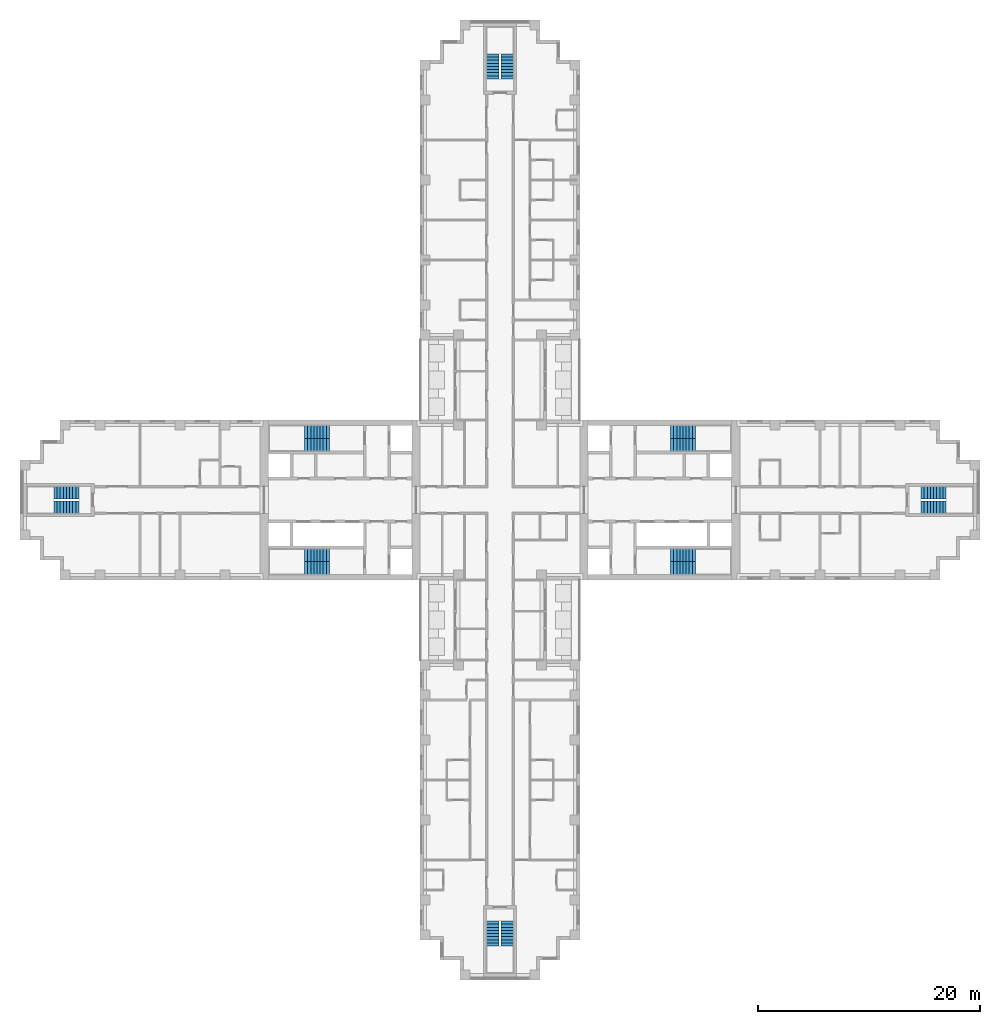
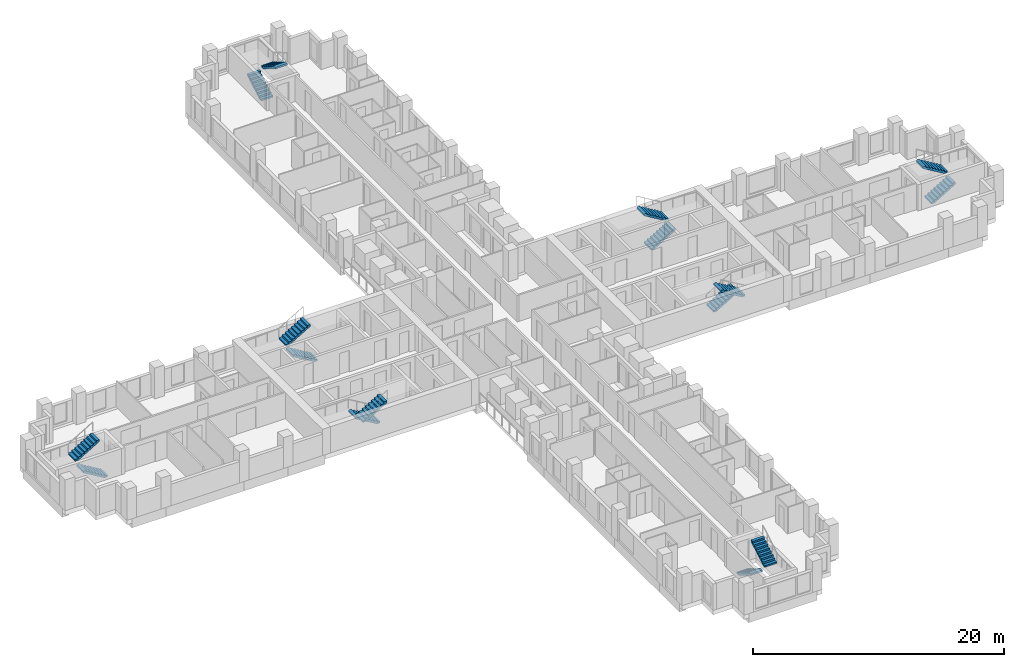
# One storey, part 13 of 15: 16 stair flights, 8 elements without a shape of their own.
"""IFC4 building model written with IfcOpenShell, lengths in metres."""

from ifc_helpers import new_model, si_unit, direction, frame, origin, place, context, subcontext, project, spatial, polyline, outline, extrude, material, type_object, element, aggregate, save


model = new_model("IFC4")

# Units and contexts
model_context = context("Model", 3, precision=1e-05, world=origin(), true_north=direction((0.0, 1.0)))
body_context = subcontext(model_context, "Body", "Model", "MODEL_VIEW")
ifc_project = project(units=[si_unit("LENGTHUNIT", "METRE"), si_unit("AREAUNIT", "SQUARE_METRE"), si_unit("VOLUMEUNIT", "CUBIC_METRE"), si_unit("PLANEANGLEUNIT", "RADIAN"), si_unit("MASSUNIT", "GRAM", prefix="KILO")], contexts=[model_context])

# Site, building, storey
site_placement = place(None, origin())
site = spatial("IfcSite", under=ifc_project, at=site_placement, CompositionType="ELEMENT")
building_placement = place(site_placement, origin())
building = spatial("IfcBuilding", under=site, at=building_placement, Name="Fustian Cross Tower", CompositionType="ELEMENT")
storey_placement = place(building_placement, frame((0.0, 0.0, 59.699951171875)))
storey = spatial("IfcBuildingStorey", under=building, at=storey_placement, Name="L18", CompositionType="ELEMENT", Elevation=59.699951171875)

# Stair, stair flights
ifc_material_1 = material(Name="Concrete C50/60", Category="concrete")
stair_type_1 = type_object("IfcStairType", Name="STAIR 1100 HALF TURN", PredefinedType="HALF_TURN_STAIR", material=ifc_material_1)
stair_1_placement = place(storey_placement, origin())
stair_1 = element("IfcStair", 1, at=stair_1_placement, inside=storey, type_object=stair_type_1, Name="Stair ST5", PredefinedType="HALF_TURN_STAIR")
ifc_material_2 = material(Name="Concrete C50/60", Category="concrete")
stair_flight_type_1 = type_object("IfcStairFlightType", Name="STAIR FLIGHT 1100", PredefinedType="STRAIGHT", material=ifc_material_2)
stair_flight_1_placement = place(storey_placement, frame((-0.64990234375, 37.89990234375, 0.0), z_axis=(0.0, 0.0, 1.0), x_axis=(0.0, 1.0, 0.0)))
stair_flight_1 = element("IfcStairFlight", 2, at=stair_flight_1_placement, type_object=stair_flight_type_1, Name="ST5 flight 1", NumberOfRisers=9, NumberOfTreads=8, PredefinedType="STRAIGHT", RiserHeight=0.166666667, TreadLength=0.28, context=body_context, shape_type="SweptSolid", body=[
    extrude(outline(polyline([(0.0, 0.0), (0.0, 0.166748046875), (0.280029296875, 0.166748046875), (0.280029296875, 0.333251953125), (0.56005859375, 0.333251953125), (0.56005859375, 0.5), (0.840087890625, 0.5), (0.840087890625, 0.666748046875), (1.1201171875, 0.666748046875), (1.1201171875, 0.833251953125), (1.39990234375, 0.833251953125), (1.39990234375, 1.0), (1.679931640625, 1.0), (1.679931640625, 1.166748046875), (1.9599609375, 1.166748046875), (1.9599609375, 1.333251953125), (2.239990234375, 1.333251953125), (2.239990234375, 1.5), (2.239990234375, 1.158935546875), (0.29296875, 0.0), (0.0, 0.0)])), frame((0.0, 0.550048828125, 0.0), z_axis=(0.0, -1.0, 0.0), x_axis=(1.0, 0.0, 0.0)), (0.0, 0.0, 1.0), 1.10009765625),
])
stair_flight_2_placement = place(storey_placement, frame((0.64990234375, 40.139892578125, 1.5), z_axis=(0.0, 0.0, 1.0), x_axis=(0.0, -1.0, 0.0)))
stair_flight_2 = element("IfcStairFlight", 3, at=stair_flight_2_placement, type_object=stair_flight_type_1, Name="ST5 flight 2", NumberOfRisers=9, NumberOfTreads=8, PredefinedType="STRAIGHT", RiserHeight=0.166666667, TreadLength=0.28, context=body_context, shape_type="SweptSolid", body=[
    extrude(outline(polyline([(0.0, 0.0), (0.0, 0.166748046875), (0.280029296875, 0.166748046875), (0.280029296875, 0.333251953125), (0.56005859375, 0.333251953125), (0.56005859375, 0.5), (0.840087890625, 0.5), (0.840087890625, 0.666748046875), (1.1201171875, 0.666748046875), (1.1201171875, 0.833251953125), (1.39990234375, 0.833251953125), (1.39990234375, 1.0), (1.679931640625, 1.0), (1.679931640625, 1.166748046875), (1.9599609375, 1.166748046875), (1.9599609375, 1.333251953125), (2.239990234375, 1.333251953125), (2.239990234375, 1.5), (2.239990234375, 1.158935546875), (0.29296875, 0.0), (0.0, 0.0)])), frame((0.0, 0.550048828125, 0.0), z_axis=(0.0, -1.0, 0.0), x_axis=(1.0, 0.0, 0.0)), (0.0, 0.0, 1.0), 1.10009765625),
])
aggregate(stair_1, [stair_flight_1, stair_flight_2])

stair_2_placement = place(storey_placement, origin())
stair_2 = element("IfcStair", 4, at=stair_2_placement, inside=storey, type_object=stair_type_1, Name="Stair ST6", PredefinedType="HALF_TURN_STAIR")
stair_flight_3_placement = place(storey_placement, frame((-0.64990234375, -37.89990234375, 0.0), z_axis=(0.0, 0.0, 1.0), x_axis=(0.0, -1.0, 0.0)))
stair_flight_3 = element("IfcStairFlight", 5, at=stair_flight_3_placement, type_object=stair_flight_type_1, Name="ST6 flight 1", NumberOfRisers=9, NumberOfTreads=8, PredefinedType="STRAIGHT", RiserHeight=0.166666667, TreadLength=0.28, context=body_context, shape_type="SweptSolid", body=[
    extrude(outline(polyline([(0.0, 0.0), (0.0, 0.166748046875), (0.280029296875, 0.166748046875), (0.280029296875, 0.333251953125), (0.56005859375, 0.333251953125), (0.56005859375, 0.5), (0.840087890625, 0.5), (0.840087890625, 0.666748046875), (1.1201171875, 0.666748046875), (1.1201171875, 0.833251953125), (1.39990234375, 0.833251953125), (1.39990234375, 1.0), (1.679931640625, 1.0), (1.679931640625, 1.166748046875), (1.9599609375, 1.166748046875), (1.9599609375, 1.333251953125), (2.239990234375, 1.333251953125), (2.239990234375, 1.5), (2.239990234375, 1.158935546875), (0.29296875, 0.0), (0.0, 0.0)])), frame((0.0, 0.550048828125, 0.0), z_axis=(0.0, -1.0, 0.0), x_axis=(1.0, 0.0, 0.0)), (0.0, 0.0, 1.0), 1.10009765625),
])
stair_flight_4_placement = place(storey_placement, frame((0.64990234375, -40.139892578125, 1.5), z_axis=(0.0, 0.0, 1.0), x_axis=(0.0, 1.0, 0.0)))
stair_flight_4 = element("IfcStairFlight", 6, at=stair_flight_4_placement, type_object=stair_flight_type_1, Name="ST6 flight 2", NumberOfRisers=9, NumberOfTreads=8, PredefinedType="STRAIGHT", RiserHeight=0.166666667, TreadLength=0.28, context=body_context, shape_type="SweptSolid", body=[
    extrude(outline(polyline([(0.0, 0.0), (0.0, 0.166748046875), (0.280029296875, 0.166748046875), (0.280029296875, 0.333251953125), (0.56005859375, 0.333251953125), (0.56005859375, 0.5), (0.840087890625, 0.5), (0.840087890625, 0.666748046875), (1.1201171875, 0.666748046875), (1.1201171875, 0.833251953125), (1.39990234375, 0.833251953125), (1.39990234375, 1.0), (1.679931640625, 1.0), (1.679931640625, 1.166748046875), (1.9599609375, 1.166748046875), (1.9599609375, 1.333251953125), (2.239990234375, 1.333251953125), (2.239990234375, 1.5), (2.239990234375, 1.158935546875), (0.29296875, 0.0), (0.0, 0.0)])), frame((0.0, 0.550048828125, 0.0), z_axis=(0.0, -1.0, 0.0), x_axis=(1.0, 0.0, 0.0)), (0.0, 0.0, 1.0), 1.10009765625),
])
aggregate(stair_2, [stair_flight_3, stair_flight_4])

stair_3_placement = place(storey_placement, origin())
stair_3 = element("IfcStair", 7, at=stair_3_placement, inside=storey, type_object=stair_type_1, Name="Stair ST8", PredefinedType="HALF_TURN_STAIR")
stair_flight_5_placement = place(storey_placement, frame((37.89990234375, -0.64990234375, 0.0), z_axis=(0.0, 0.0, 1.0), x_axis=(1.0, 0.0, 0.0)))
stair_flight_5 = element("IfcStairFlight", 8, at=stair_flight_5_placement, type_object=stair_flight_type_1, Name="ST8 flight 1", NumberOfRisers=9, NumberOfTreads=8, PredefinedType="STRAIGHT", RiserHeight=0.166666667, TreadLength=0.28, context=body_context, shape_type="SweptSolid", body=[
    extrude(outline(polyline([(0.0, 0.0), (0.0, 0.166748046875), (0.280029296875, 0.166748046875), (0.280029296875, 0.333251953125), (0.56005859375, 0.333251953125), (0.56005859375, 0.5), (0.840087890625, 0.5), (0.840087890625, 0.666748046875), (1.1201171875, 0.666748046875), (1.1201171875, 0.833251953125), (1.39990234375, 0.833251953125), (1.39990234375, 1.0), (1.679931640625, 1.0), (1.679931640625, 1.166748046875), (1.9599609375, 1.166748046875), (1.9599609375, 1.333251953125), (2.239990234375, 1.333251953125), (2.239990234375, 1.5), (2.239990234375, 1.158935546875), (0.29296875, 0.0), (0.0, 0.0)])), frame((0.0, 0.550048828125, 0.0), z_axis=(0.0, -1.0, 0.0), x_axis=(1.0, 0.0, 0.0)), (0.0, 0.0, 1.0), 1.10009765625),
])
stair_flight_6_placement = place(storey_placement, frame((40.139892578125, 0.64990234375, 1.5), z_axis=(0.0, 0.0, 1.0), x_axis=(-1.0, 0.0, 0.0)))
stair_flight_6 = element("IfcStairFlight", 9, at=stair_flight_6_placement, type_object=stair_flight_type_1, Name="ST8 flight 2", NumberOfRisers=9, NumberOfTreads=8, PredefinedType="STRAIGHT", RiserHeight=0.166666667, TreadLength=0.28, context=body_context, shape_type="SweptSolid", body=[
    extrude(outline(polyline([(0.0, 0.0), (0.0, 0.166748046875), (0.280029296875, 0.166748046875), (0.280029296875, 0.333251953125), (0.56005859375, 0.333251953125), (0.56005859375, 0.5), (0.840087890625, 0.5), (0.840087890625, 0.666748046875), (1.1201171875, 0.666748046875), (1.1201171875, 0.833251953125), (1.39990234375, 0.833251953125), (1.39990234375, 1.0), (1.679931640625, 1.0), (1.679931640625, 1.166748046875), (1.9599609375, 1.166748046875), (1.9599609375, 1.333251953125), (2.239990234375, 1.333251953125), (2.239990234375, 1.5), (2.239990234375, 1.158935546875), (0.29296875, 0.0), (0.0, 0.0)])), frame((0.0, 0.550048828125, 0.0), z_axis=(0.0, -1.0, 0.0), x_axis=(1.0, 0.0, 0.0)), (0.0, 0.0, 1.0), 1.10009765625),
])
aggregate(stair_3, [stair_flight_5, stair_flight_6])

stair_4_placement = place(storey_placement, origin())
stair_4 = element("IfcStair", 10, at=stair_4_placement, inside=storey, type_object=stair_type_1, Name="Stair ST9", PredefinedType="HALF_TURN_STAIR")
stair_flight_7_placement = place(storey_placement, frame((-37.89990234375, -0.64990234375, 0.0), z_axis=(0.0, 0.0, 1.0), x_axis=(-1.0, 0.0, 0.0)))
stair_flight_7 = element("IfcStairFlight", 11, at=stair_flight_7_placement, type_object=stair_flight_type_1, Name="ST9 flight 1", NumberOfRisers=9, NumberOfTreads=8, PredefinedType="STRAIGHT", RiserHeight=0.166666667, TreadLength=0.28, context=body_context, shape_type="SweptSolid", body=[
    extrude(outline(polyline([(0.0, 0.0), (0.0, 0.166748046875), (0.280029296875, 0.166748046875), (0.280029296875, 0.333251953125), (0.56005859375, 0.333251953125), (0.56005859375, 0.5), (0.840087890625, 0.5), (0.840087890625, 0.666748046875), (1.1201171875, 0.666748046875), (1.1201171875, 0.833251953125), (1.39990234375, 0.833251953125), (1.39990234375, 1.0), (1.679931640625, 1.0), (1.679931640625, 1.166748046875), (1.9599609375, 1.166748046875), (1.9599609375, 1.333251953125), (2.239990234375, 1.333251953125), (2.239990234375, 1.5), (2.239990234375, 1.158935546875), (0.29296875, 0.0), (0.0, 0.0)])), frame((0.0, 0.550048828125, 0.0), z_axis=(0.0, -1.0, 0.0), x_axis=(1.0, 0.0, 0.0)), (0.0, 0.0, 1.0), 1.10009765625),
])
stair_flight_8_placement = place(storey_placement, frame((-40.139892578125, 0.64990234375, 1.5), z_axis=(0.0, 0.0, 1.0), x_axis=(1.0, 0.0, 0.0)))
stair_flight_8 = element("IfcStairFlight", 12, at=stair_flight_8_placement, type_object=stair_flight_type_1, Name="ST9 flight 2", NumberOfRisers=9, NumberOfTreads=8, PredefinedType="STRAIGHT", RiserHeight=0.166666667, TreadLength=0.28, context=body_context, shape_type="SweptSolid", body=[
    extrude(outline(polyline([(0.0, 0.0), (0.0, 0.166748046875), (0.280029296875, 0.166748046875), (0.280029296875, 0.333251953125), (0.56005859375, 0.333251953125), (0.56005859375, 0.5), (0.840087890625, 0.5), (0.840087890625, 0.666748046875), (1.1201171875, 0.666748046875), (1.1201171875, 0.833251953125), (1.39990234375, 0.833251953125), (1.39990234375, 1.0), (1.679931640625, 1.0), (1.679931640625, 1.166748046875), (1.9599609375, 1.166748046875), (1.9599609375, 1.333251953125), (2.239990234375, 1.333251953125), (2.239990234375, 1.5), (2.239990234375, 1.158935546875), (0.29296875, 0.0), (0.0, 0.0)])), frame((0.0, 0.550048828125, 0.0), z_axis=(0.0, -1.0, 0.0), x_axis=(1.0, 0.0, 0.0)), (0.0, 0.0, 1.0), 1.10009765625),
])
aggregate(stair_4, [stair_flight_7, stair_flight_8])

ifc_material_3 = material(Name="Concrete C50/60", Category="concrete")
stair_type_2 = type_object("IfcStairType", Name="STAIR 1150 HALF TURN", PredefinedType="HALF_TURN_STAIR", material=ifc_material_3)
stair_5_placement = place(storey_placement, origin())
stair_5 = element("IfcStair", 13, at=stair_5_placement, inside=storey, type_object=stair_type_2, Name="Stair ST1", PredefinedType="HALF_TURN_STAIR")
ifc_material_4 = material(Name="Concrete C50/60", Category="concrete")
stair_flight_type_2 = type_object("IfcStairFlightType", Name="STAIR FLIGHT 1150", PredefinedType="STRAIGHT", material=ifc_material_4)
stair_flight_9_placement = place(storey_placement, frame((15.35009765625, 4.97509765625, 0.0), z_axis=(0.0, 0.0, 1.0), x_axis=(1.0, 0.0, 0.0)))
stair_flight_9 = element("IfcStairFlight", 14, at=stair_flight_9_placement, type_object=stair_flight_type_2, Name="ST1 flight 1", NumberOfRisers=9, NumberOfTreads=8, PredefinedType="STRAIGHT", RiserHeight=0.166666667, TreadLength=0.28, context=body_context, shape_type="SweptSolid", body=[
    extrude(outline(polyline([(0.0, 0.0), (0.0, 0.166748046875), (0.280029296875, 0.166748046875), (0.280029296875, 0.333251953125), (0.56005859375, 0.333251953125), (0.56005859375, 0.5), (0.840087890625, 0.5), (0.840087890625, 0.666748046875), (1.1201171875, 0.666748046875), (1.1201171875, 0.833251953125), (1.39990234375, 0.833251953125), (1.39990234375, 1.0), (1.679931640625, 1.0), (1.679931640625, 1.166748046875), (1.9599609375, 1.166748046875), (1.9599609375, 1.333251953125), (2.239990234375, 1.333251953125), (2.239990234375, 1.5), (2.239990234375, 1.158935546875), (0.29296875, 0.0), (0.0, 0.0)])), frame((0.0, 0.574951171875, 0.0), z_axis=(0.0, -1.0, 0.0), x_axis=(1.0, 0.0, 0.0)), (0.0, 0.0, 1.0), 1.14990234375),
])
stair_flight_10_placement = place(storey_placement, frame((17.590087890625, 6.125, 1.5), z_axis=(0.0, 0.0, 1.0), x_axis=(-1.0, 0.0, 0.0)))
stair_flight_10 = element("IfcStairFlight", 15, at=stair_flight_10_placement, type_object=stair_flight_type_2, Name="ST1 flight 2", NumberOfRisers=9, NumberOfTreads=8, PredefinedType="STRAIGHT", RiserHeight=0.166666667, TreadLength=0.28, context=body_context, shape_type="SweptSolid", body=[
    extrude(outline(polyline([(0.0, 0.0), (0.0, 0.166748046875), (0.280029296875, 0.166748046875), (0.280029296875, 0.333251953125), (0.56005859375, 0.333251953125), (0.56005859375, 0.5), (0.840087890625, 0.5), (0.840087890625, 0.666748046875), (1.1201171875, 0.666748046875), (1.1201171875, 0.833251953125), (1.39990234375, 0.833251953125), (1.39990234375, 1.0), (1.679931640625, 1.0), (1.679931640625, 1.166748046875), (1.9599609375, 1.166748046875), (1.9599609375, 1.333251953125), (2.239990234375, 1.333251953125), (2.239990234375, 1.5), (2.239990234375, 1.158935546875), (0.29296875, 0.0), (0.0, 0.0)])), frame((0.0, 0.574951171875, 0.0), z_axis=(0.0, -1.0, 0.0), x_axis=(1.0, 0.0, 0.0)), (0.0, 0.0, 1.0), 1.14990234375),
])
aggregate(stair_5, [stair_flight_9, stair_flight_10])

stair_6_placement = place(storey_placement, origin())
stair_6 = element("IfcStair", 16, at=stair_6_placement, inside=storey, type_object=stair_type_2, Name="Stair ST2", PredefinedType="HALF_TURN_STAIR")
stair_flight_11_placement = place(storey_placement, frame((15.35009765625, -4.97509765625, 0.0), z_axis=(0.0, 0.0, 1.0), x_axis=(1.0, 0.0, 0.0)))
stair_flight_11 = element("IfcStairFlight", 17, at=stair_flight_11_placement, type_object=stair_flight_type_2, Name="ST2 flight 1", NumberOfRisers=9, NumberOfTreads=8, PredefinedType="STRAIGHT", RiserHeight=0.166666667, TreadLength=0.28, context=body_context, shape_type="SweptSolid", body=[
    extrude(outline(polyline([(0.0, 0.0), (0.0, 0.166748046875), (0.280029296875, 0.166748046875), (0.280029296875, 0.333251953125), (0.56005859375, 0.333251953125), (0.56005859375, 0.5), (0.840087890625, 0.5), (0.840087890625, 0.666748046875), (1.1201171875, 0.666748046875), (1.1201171875, 0.833251953125), (1.39990234375, 0.833251953125), (1.39990234375, 1.0), (1.679931640625, 1.0), (1.679931640625, 1.166748046875), (1.9599609375, 1.166748046875), (1.9599609375, 1.333251953125), (2.239990234375, 1.333251953125), (2.239990234375, 1.5), (2.239990234375, 1.158935546875), (0.29296875, 0.0), (0.0, 0.0)])), frame((0.0, 0.574951171875, 0.0), z_axis=(0.0, -1.0, 0.0), x_axis=(1.0, 0.0, 0.0)), (0.0, 0.0, 1.0), 1.14990234375),
])
stair_flight_12_placement = place(storey_placement, frame((17.590087890625, -6.125, 1.5), z_axis=(0.0, 0.0, 1.0), x_axis=(-1.0, 0.0, 0.0)))
stair_flight_12 = element("IfcStairFlight", 18, at=stair_flight_12_placement, type_object=stair_flight_type_2, Name="ST2 flight 2", NumberOfRisers=9, NumberOfTreads=8, PredefinedType="STRAIGHT", RiserHeight=0.166666667, TreadLength=0.28, context=body_context, shape_type="SweptSolid", body=[
    extrude(outline(polyline([(0.0, 0.0), (0.0, 0.166748046875), (0.280029296875, 0.166748046875), (0.280029296875, 0.333251953125), (0.56005859375, 0.333251953125), (0.56005859375, 0.5), (0.840087890625, 0.5), (0.840087890625, 0.666748046875), (1.1201171875, 0.666748046875), (1.1201171875, 0.833251953125), (1.39990234375, 0.833251953125), (1.39990234375, 1.0), (1.679931640625, 1.0), (1.679931640625, 1.166748046875), (1.9599609375, 1.166748046875), (1.9599609375, 1.333251953125), (2.239990234375, 1.333251953125), (2.239990234375, 1.5), (2.239990234375, 1.158935546875), (0.29296875, 0.0), (0.0, 0.0)])), frame((0.0, 0.574951171875, 0.0), z_axis=(0.0, -1.0, 0.0), x_axis=(1.0, 0.0, 0.0)), (0.0, 0.0, 1.0), 1.14990234375),
])
aggregate(stair_6, [stair_flight_11, stair_flight_12])

stair_7_placement = place(storey_placement, origin())
stair_7 = element("IfcStair", 19, at=stair_7_placement, inside=storey, type_object=stair_type_2, Name="Stair ST3", PredefinedType="HALF_TURN_STAIR")
stair_flight_13_placement = place(storey_placement, frame((-15.35009765625, 4.97509765625, 0.0), z_axis=(0.0, 0.0, 1.0), x_axis=(-1.0, 0.0, 0.0)))
stair_flight_13 = element("IfcStairFlight", 20, at=stair_flight_13_placement, type_object=stair_flight_type_2, Name="ST3 flight 1", NumberOfRisers=9, NumberOfTreads=8, PredefinedType="STRAIGHT", RiserHeight=0.166666667, TreadLength=0.28, context=body_context, shape_type="SweptSolid", body=[
    extrude(outline(polyline([(0.0, 0.0), (0.0, 0.166748046875), (0.280029296875, 0.166748046875), (0.280029296875, 0.333251953125), (0.56005859375, 0.333251953125), (0.56005859375, 0.5), (0.840087890625, 0.5), (0.840087890625, 0.666748046875), (1.1201171875, 0.666748046875), (1.1201171875, 0.833251953125), (1.39990234375, 0.833251953125), (1.39990234375, 1.0), (1.679931640625, 1.0), (1.679931640625, 1.166748046875), (1.9599609375, 1.166748046875), (1.9599609375, 1.333251953125), (2.239990234375, 1.333251953125), (2.239990234375, 1.5), (2.239990234375, 1.158935546875), (0.29296875, 0.0), (0.0, 0.0)])), frame((0.0, 0.574951171875, 0.0), z_axis=(0.0, -1.0, 0.0), x_axis=(1.0, 0.0, 0.0)), (0.0, 0.0, 1.0), 1.14990234375),
])
stair_flight_14_placement = place(storey_placement, frame((-17.590087890625, 6.125, 1.5), z_axis=(0.0, 0.0, 1.0), x_axis=(1.0, 0.0, 0.0)))
stair_flight_14 = element("IfcStairFlight", 21, at=stair_flight_14_placement, type_object=stair_flight_type_2, Name="ST3 flight 2", NumberOfRisers=9, NumberOfTreads=8, PredefinedType="STRAIGHT", RiserHeight=0.166666667, TreadLength=0.28, context=body_context, shape_type="SweptSolid", body=[
    extrude(outline(polyline([(0.0, 0.0), (0.0, 0.166748046875), (0.280029296875, 0.166748046875), (0.280029296875, 0.333251953125), (0.56005859375, 0.333251953125), (0.56005859375, 0.5), (0.840087890625, 0.5), (0.840087890625, 0.666748046875), (1.1201171875, 0.666748046875), (1.1201171875, 0.833251953125), (1.39990234375, 0.833251953125), (1.39990234375, 1.0), (1.679931640625, 1.0), (1.679931640625, 1.166748046875), (1.9599609375, 1.166748046875), (1.9599609375, 1.333251953125), (2.239990234375, 1.333251953125), (2.239990234375, 1.5), (2.239990234375, 1.158935546875), (0.29296875, 0.0), (0.0, 0.0)])), frame((0.0, 0.574951171875, 0.0), z_axis=(0.0, -1.0, 0.0), x_axis=(1.0, 0.0, 0.0)), (0.0, 0.0, 1.0), 1.14990234375),
])
aggregate(stair_7, [stair_flight_13, stair_flight_14])

stair_8_placement = place(storey_placement, origin())
stair_8 = element("IfcStair", 22, at=stair_8_placement, inside=storey, type_object=stair_type_2, Name="Stair ST4", PredefinedType="HALF_TURN_STAIR")
stair_flight_15_placement = place(storey_placement, frame((-15.35009765625, -4.97509765625, 0.0), z_axis=(0.0, 0.0, 1.0), x_axis=(-1.0, 0.0, 0.0)))
stair_flight_15 = element("IfcStairFlight", 23, at=stair_flight_15_placement, type_object=stair_flight_type_2, Name="ST4 flight 1", NumberOfRisers=9, NumberOfTreads=8, PredefinedType="STRAIGHT", RiserHeight=0.166666667, TreadLength=0.28, context=body_context, shape_type="SweptSolid", body=[
    extrude(outline(polyline([(0.0, 0.0), (0.0, 0.166748046875), (0.280029296875, 0.166748046875), (0.280029296875, 0.333251953125), (0.56005859375, 0.333251953125), (0.56005859375, 0.5), (0.840087890625, 0.5), (0.840087890625, 0.666748046875), (1.1201171875, 0.666748046875), (1.1201171875, 0.833251953125), (1.39990234375, 0.833251953125), (1.39990234375, 1.0), (1.679931640625, 1.0), (1.679931640625, 1.166748046875), (1.9599609375, 1.166748046875), (1.9599609375, 1.333251953125), (2.239990234375, 1.333251953125), (2.239990234375, 1.5), (2.239990234375, 1.158935546875), (0.29296875, 0.0), (0.0, 0.0)])), frame((0.0, 0.574951171875, 0.0), z_axis=(0.0, -1.0, 0.0), x_axis=(1.0, 0.0, 0.0)), (0.0, 0.0, 1.0), 1.14990234375),
])
stair_flight_16_placement = place(storey_placement, frame((-17.590087890625, -6.125, 1.5), z_axis=(0.0, 0.0, 1.0), x_axis=(1.0, 0.0, 0.0)))
stair_flight_16 = element("IfcStairFlight", 24, at=stair_flight_16_placement, type_object=stair_flight_type_2, Name="ST4 flight 2", NumberOfRisers=9, NumberOfTreads=8, PredefinedType="STRAIGHT", RiserHeight=0.166666667, TreadLength=0.28, context=body_context, shape_type="SweptSolid", body=[
    extrude(outline(polyline([(0.0, 0.0), (0.0, 0.166748046875), (0.280029296875, 0.166748046875), (0.280029296875, 0.333251953125), (0.56005859375, 0.333251953125), (0.56005859375, 0.5), (0.840087890625, 0.5), (0.840087890625, 0.666748046875), (1.1201171875, 0.666748046875), (1.1201171875, 0.833251953125), (1.39990234375, 0.833251953125), (1.39990234375, 1.0), (1.679931640625, 1.0), (1.679931640625, 1.166748046875), (1.9599609375, 1.166748046875), (1.9599609375, 1.333251953125), (2.239990234375, 1.333251953125), (2.239990234375, 1.5), (2.239990234375, 1.158935546875), (0.29296875, 0.0), (0.0, 0.0)])), frame((0.0, 0.574951171875, 0.0), z_axis=(0.0, -1.0, 0.0), x_axis=(1.0, 0.0, 0.0)), (0.0, 0.0, 1.0), 1.14990234375),
])
aggregate(stair_8, [stair_flight_15, stair_flight_16])

save(model, "model.ifc")
